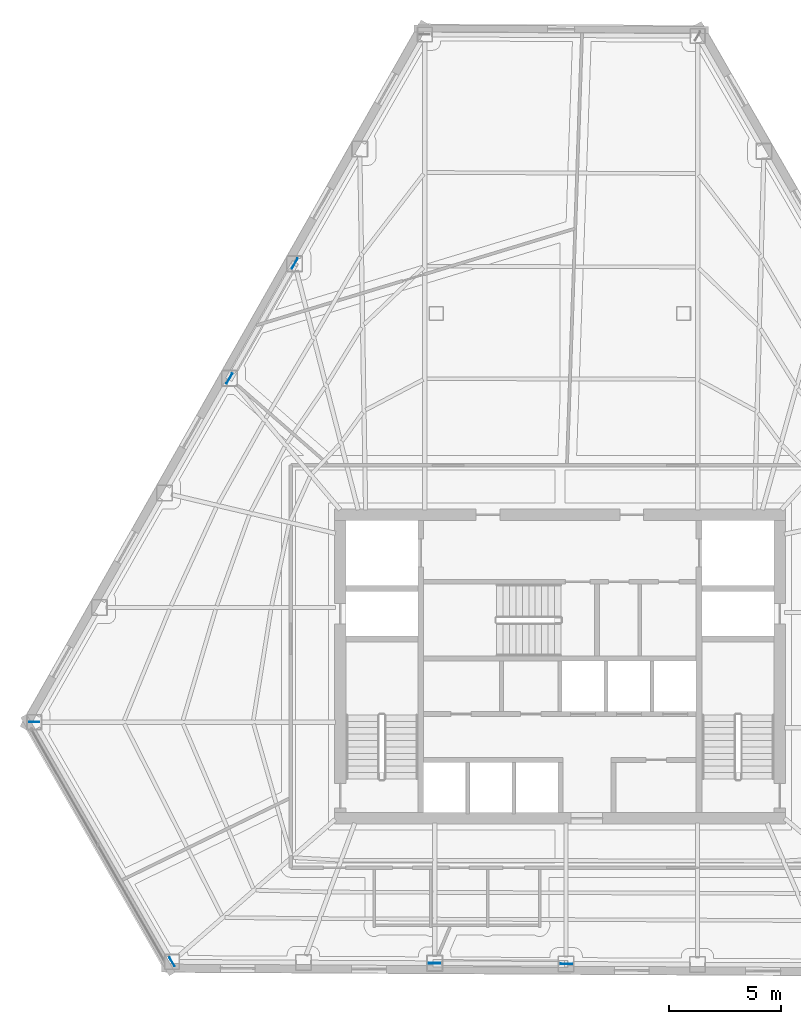
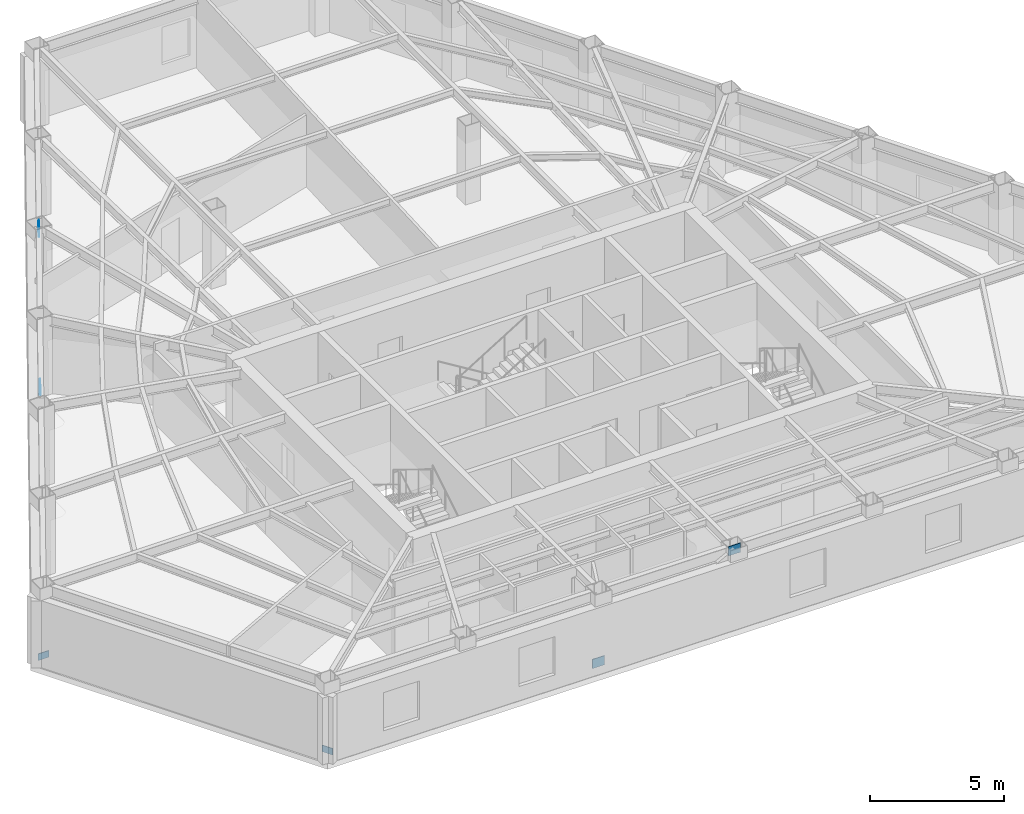
# One storey, part 5 of 13: 6 plates.
"""IFC4 building model written with IfcOpenShell, lengths in metres."""

from ifc_helpers import new_model, si_unit, direction, frame, origin, origin_2d, place, context, subcontext, project, spatial, rectangle, extrude, material, layer, layer_set, type_object, element, save


model = new_model("IFC4")

# Units and contexts
model_context = context("Model", 3, precision=1e-05, world=origin(), true_north=direction((0.0, 1.0)))
body_context = subcontext(model_context, "Body", "Model", "MODEL_VIEW")
ifc_project = project(units=[si_unit("LENGTHUNIT", "METRE"), si_unit("AREAUNIT", "SQUARE_METRE"), si_unit("VOLUMEUNIT", "CUBIC_METRE"), si_unit("PLANEANGLEUNIT", "RADIAN"), si_unit("MASSUNIT", "GRAM", prefix="KILO")], contexts=[model_context])

# Site, building, storey
site_placement = place(None, origin())
site = spatial("IfcSite", under=ifc_project, at=site_placement, CompositionType="ELEMENT")
building_placement = place(site_placement, origin())
building = spatial("IfcBuilding", under=site, at=building_placement, Name="Kavelnor Concourse Tower", CompositionType="ELEMENT")
storey_placement = place(building_placement, frame((0.0, 0.0, 100.89990234375)))
storey = spatial("IfcBuildingStorey", under=building, at=storey_placement, Name="L25", CompositionType="ELEMENT", Elevation=100.89990234375)

# Plates
ifc_material = material(Name="Steel Grade 350", Category="steel")
ifc_layer_1 = layer(ifc_material, 0.028076171875, Name="Steel Grade 350")
ifc_layer_set_1 = layer_set([ifc_layer_1], Name="Steel Grade 350")
plate_type_1 = type_object("IfcPlateType", Name="PL-GUSSET-FOLD", PredefinedType="USERDEFINED", material=ifc_layer_set_1)
for number, where, z_axis, x_axis, name in (
    (1, (14.62353515625, 13.62646484375, 0.10009765625), (0.0, 0.0, 1.0), (1.0, 0.0, 0.0), "L25 Herringbone Corner-Fold Kink Gusset Plate F0-B6"),
    (2, (20.751220703125, 2.966796875, 0.10009765625), (0.0, 0.0, 1.0), (-0.5, 0.866025403784, 0.0), "L25 Herringbone Corner-Fold Kink Gusset Plate F1-B0"),
):
    element("IfcPlate", number, at=place(storey_placement, frame(where, z_axis=z_axis, x_axis=x_axis)), inside=storey, type_object=plate_type_1, Name=name, ObjectType="GUSSET_PLATE", PredefinedType="USERDEFINED", context=body_context, shape_type="SweptSolid", body=[
        extrude(rectangle(XDim=0.4599609375, YDim=0.028076171875, at=origin_2d()), origin(), (0.0, 0.0, 1.0), 0.300048828125),
    ])
ifc_layer_2 = layer(ifc_material, 0.031982421875, Name="Steel Grade 350")
ifc_layer_set_2 = layer_set([ifc_layer_2], Name="Steel Grade 350")
plate_type_2 = type_object("IfcPlateType", Name="PL-GUSSET-TUBE-Z1", PredefinedType="USERDEFINED", material=ifc_layer_set_2)
for number, where, z_axis, x_axis, name in (
    (3, (23.30126953125, 28.905029296875, 0.01025390625), (0.0, 0.0, 1.0), (0.493790103568, 0.86958112538, 0.0), "L25 Tube Brace Gusset GP3 F0-B2 End Gusset A"),
    (4, (26.20751953125, 34.022216796875, 3.12353515625), (0.0, 0.0, 1.0), (0.493790103568, 0.86958112538, 0.0), "L25 Tube Brace Gusset GP3 F0-B2 End Gusset B"),
    (5, (32.421142578125, 2.90625, 0.01025390625), (0.0, 0.0, 1.0), (0.999986292247, -0.005235963831, 0.0), "L25 Tube Brace Gusset GP3 F1-B2 End Gusset A"),
    (6, (38.2861328125, 2.875732421875, 3.12353515625), (0.0, 0.0, 1.0), (0.999986292247, -0.005235963831, 0.0), "L25 Tube Brace Gusset GP3 F1-B2 End Gusset B"),
):
    element("IfcPlate", number, at=place(storey_placement, frame(where, z_axis=z_axis, x_axis=x_axis)), inside=storey, type_object=plate_type_2, Name=name, ObjectType="GUSSET_PLATE", PredefinedType="USERDEFINED", context=body_context, shape_type="SweptSolid", body=[
        extrude(rectangle(XDim=0.52001953125, YDim=0.031982421875, at=origin_2d()), origin(), (0.0, 0.0, 1.0), 0.419921875),
    ])

save(model, "model.ifc")
